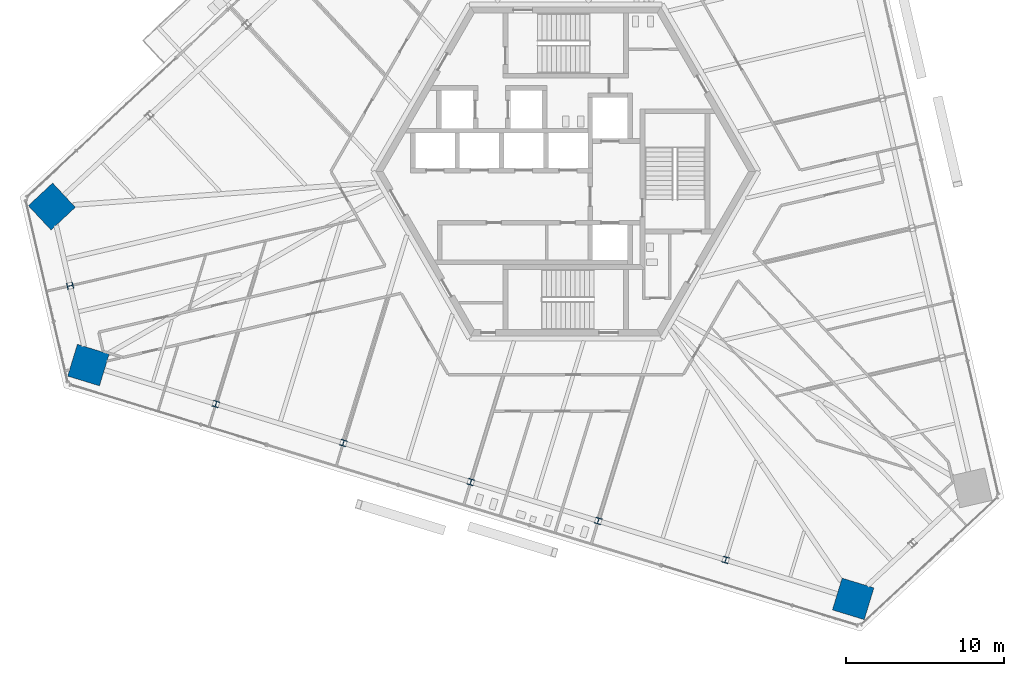
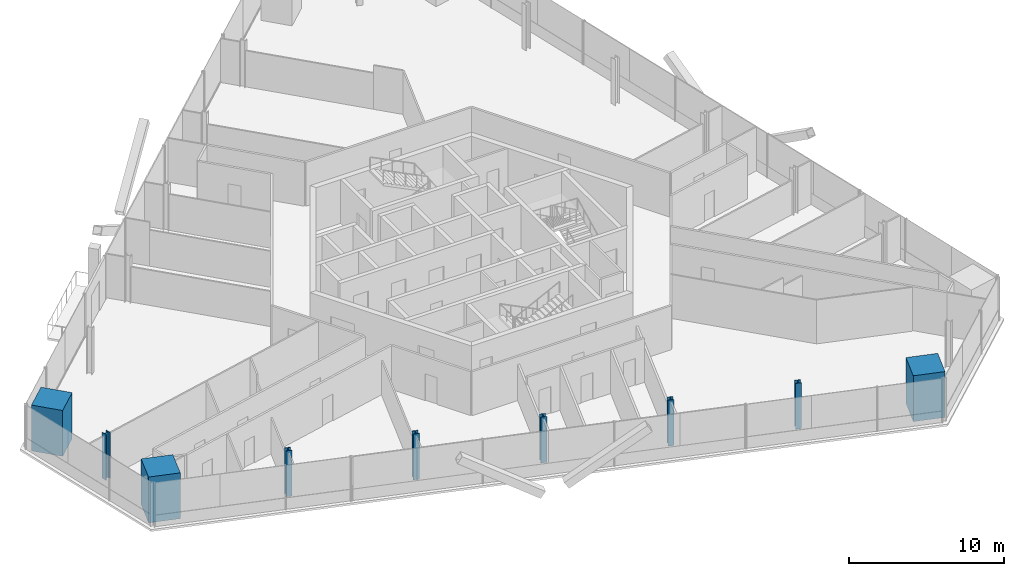
# One storey, part 1 of 20: 9 columns.
"""IFC4 building model written with IfcOpenShell, lengths in metres."""

from ifc_helpers import new_model, si_unit, direction, frame, origin, origin_2d, place, context, subcontext, project, spatial, rectangle, i_section, extrude, source, transform, mapped, material, material_profile, profile_set, type_object, element, save


model = new_model("IFC4")

# Units and contexts
model_context = context("Model", 3, precision=1e-05, world=origin(), true_north=direction((0.0, 1.0)))
body_context = subcontext(model_context, "Body", "Model", "MODEL_VIEW")
ifc_project = project(units=[si_unit("LENGTHUNIT", "METRE"), si_unit("AREAUNIT", "SQUARE_METRE"), si_unit("VOLUMEUNIT", "CUBIC_METRE"), si_unit("PLANEANGLEUNIT", "RADIAN"), si_unit("MASSUNIT", "GRAM", prefix="KILO")], contexts=[model_context])

# Site, building, storey
site_placement = place(None, origin())
site = spatial("IfcSite", under=ifc_project, at=site_placement, CompositionType="ELEMENT")
building_placement = place(site_placement, origin())
building = spatial("IfcBuilding", under=site, at=building_placement, Name="Triune Harvest Tower", CompositionType="ELEMENT")
storey_placement = place(building_placement, frame((0.0, 0.0, 116.300048828125)))
storey = spatial("IfcBuildingStorey", under=building, at=storey_placement, Name="L29", CompositionType="ELEMENT", Elevation=116.300048828125)

# Columns
ifc_material_1 = material(Name="Concrete 70 MPa", Category="concrete")
ifc_material_profile_1 = material_profile(ifc_material_1, rectangle(XDim=2.10009765625, YDim=2.10009765625, at=origin_2d()), Name="Composite 2100x2100")
ifc_profile_set_1 = profile_set([ifc_material_profile_1], Name="Concrete 70 MPa")
column_type_1 = type_object("IfcColumnType", Name="MC-3 Mega column Composite 2100x2100", PredefinedType="COLUMN", material=ifc_profile_set_1)
shared_shape_1 = source(origin(), body_context, "Body", "SweptSolid", [
    extrude(rectangle(XDim=2.10009765625, YDim=2.10009765625, at=origin_2d()), origin(), (0.0, 0.0, 1.0), 3.599853515625),
])
for number, where, z_axis, x_axis, name in (
    (1, (-32.446533203125, -2.218994140625, 0.0), (0.0, 0.0, 1.0), (-0.73135489193, -0.681997083608, 0.0), "col/L29/M14"),
    (2, (-30.135498046875, -12.22900390625, 0.0), (0.0, 0.0, 1.0), (0.956304755963, -0.292371704723, 0.0), "col/L29/M16"),
    (3, (18.14501953125, -26.989990234375, 0.0), (0.0, 0.0, 1.0), (0.956304755963, -0.292371704723, 0.0), "col/L29/M22"),
):
    element("IfcColumn", number, at=place(storey_placement, frame(where, z_axis=z_axis, x_axis=x_axis)), inside=storey, type_object=column_type_1, Name=name, PredefinedType="COLUMN", context=body_context, shape_type="MappedRepresentation", body=[
        mapped(shared_shape_1, transform((0.0, 0.0, 0.0), scale=1.0)),
    ])
ifc_material_2 = material(Name="Steel ASTM A992 Gr 50", Category="steel")
ifc_material_profile_2 = material_profile(ifc_material_2, i_section(OverallWidth=0.396240234375, OverallDepth=0.381103515625, WebThickness=0.01904296875, FlangeThickness=0.0302734375, at=origin_2d()), Name="W14x159")
ifc_profile_set_2 = profile_set([ifc_material_profile_2], Name="Steel ASTM A992 Gr 50")
column_type_2 = type_object("IfcColumnType", Name="PC-3 Perimeter column W14x159", PredefinedType="COLUMN", material=ifc_profile_set_2)
shared_shape_2 = source(origin(), body_context, "Body", "SweptSolid", [
    extrude(i_section(OverallWidth=0.396240234375, OverallDepth=0.381103515625, WebThickness=0.01904296875, FlangeThickness=0.0302734375, at=origin_2d()), origin(), (0.0, 0.0, 1.0), 3.599853515625),
])
for number, where, z_axis, x_axis, name in (
    (4, (-31.291015625, -7.22412109375, 0.0), (0.0, 0.0, 1.0), (0.224951054344, -0.974370064785, 0.0), "col/L29/P15"),
    (5, (-22.0888671875, -14.689208984375, 0.0), (0.0, 0.0, 1.0), (0.956304755963, -0.292371704723, 0.0), "col/L29/P17"),
    (6, (-14.0419921875, -17.1494140625, 0.0), (0.0, 0.0, 1.0), (0.956304755963, -0.292371704723, 0.0), "col/L29/P18"),
    (7, (-5.995361328125, -19.609619140625, 0.0), (0.0, 0.0, 1.0), (0.956304755963, -0.292371704723, 0.0), "col/L29/P19"),
    (8, (2.051513671875, -22.069580078125, 0.0), (0.0, 0.0, 1.0), (0.956304755963, -0.292371704723, 0.0), "col/L29/P20"),
    (9, (10.098388671875, -24.52978515625, 0.0), (0.0, 0.0, 1.0), (0.956304755963, -0.292371704723, 0.0), "col/L29/P21"),
):
    element("IfcColumn", number, at=place(storey_placement, frame(where, z_axis=z_axis, x_axis=x_axis)), inside=storey, type_object=column_type_2, Name=name, PredefinedType="COLUMN", context=body_context, shape_type="MappedRepresentation", body=[
        mapped(shared_shape_2, transform((0.0, 0.0, 0.0), scale=1.0)),
    ])

save(model, "model.ifc")
